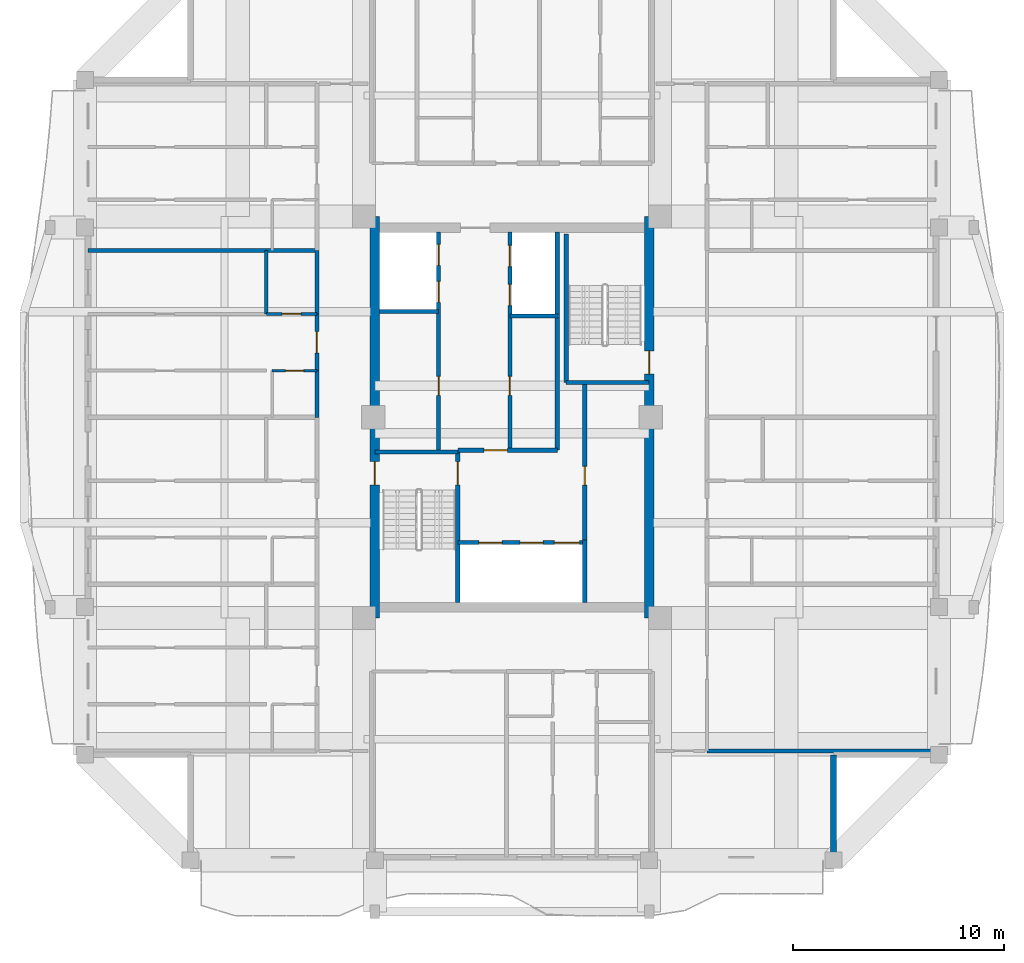
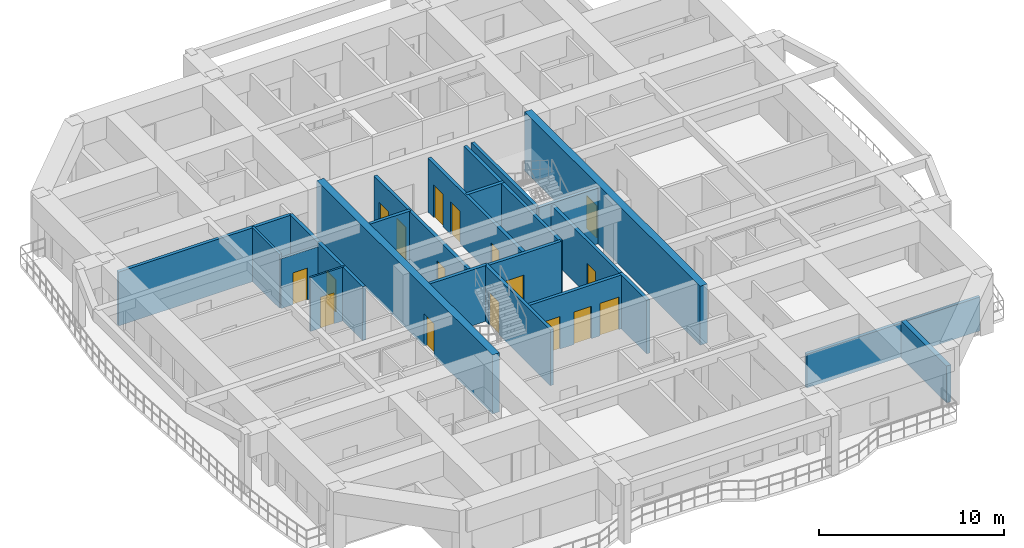
# One storey, part 4 of 13: 25 walls, 17 doors, 17 openings.
"""IFC4 building model written with IfcOpenShell, lengths in metres."""

from ifc_helpers import new_model, si_unit, direction, frame, frame_2d, origin, place, context, subcontext, project, spatial, rectangle, extrude, source, transform, mapped, material, layer, layer_set, type_object, element, fill, save


model = new_model("IFC4")

# Units and contexts
model_context = context("Model", 3, precision=1e-05, world=origin(), true_north=direction((0.0, 1.0)))
body_context = subcontext(model_context, "Body", "Model", "MODEL_VIEW")
ifc_project = project(units=[si_unit("LENGTHUNIT", "METRE"), si_unit("AREAUNIT", "SQUARE_METRE"), si_unit("VOLUMEUNIT", "CUBIC_METRE"), si_unit("PLANEANGLEUNIT", "RADIAN"), si_unit("MASSUNIT", "GRAM", prefix="KILO")], contexts=[model_context])

# Site, building, storey
site_placement = place(None, origin())
site = spatial("IfcSite", under=ifc_project, at=site_placement, CompositionType="ELEMENT")
building_placement = place(site_placement, origin())
building = spatial("IfcBuilding", under=site, at=building_placement, Name="Saelheon Loggia Tower", CompositionType="ELEMENT")
storey_placement = place(building_placement, frame((0.0, 0.0, 192.699951171875)))
storey = spatial("IfcBuildingStorey", under=building, at=storey_placement, Name="L60", CompositionType="ELEMENT", Elevation=192.699951171875)

# Wall, opening, door
ifc_material_1 = material(Name="Concrete C45/55", Category="concrete")
ifc_layer_1 = layer(ifc_material_1, 0.449951171875)
ifc_layer_set_1 = layer_set([ifc_layer_1], Name="Concrete C45/55")
wall_type_1 = type_object("IfcWallType", Name="Wall_CoreShear_450", PredefinedType="SHEAR", material=ifc_layer_set_1)
wall_1_placement = place(storey_placement, frame((31.5, 17.47998046875, 0.0), z_axis=(0.0, 0.0, 1.0), x_axis=(0.0, 1.0, 0.0)))
wall_1 = element("IfcWall", 1, at=wall_1_placement, inside=storey, type_object=wall_type_1, Name="L60 Core Shear Wall West", PredefinedType="SHEAR", context=body_context, shape_type="SweptSolid", body=[
    extrude(rectangle(XDim=19.0400390625, YDim=0.449951171875, at=frame_2d((9.52001953125, 0.0))), origin(), (0.0, 0.0, 1.0), 3.900146484375),
])
opening_1_placement = place(wall_1_placement, frame((6.320068359375, 0.0, 0.0)))
opening_1 = element("IfcOpeningElement", 2, at=opening_1_placement, cuts=wall_1, Name="Opening D-FD2", PredefinedType="OPENING", context=body_context, shape_type="SweptSolid", body=[
    extrude(rectangle(XDim=1.10009765625, YDim=2.14990234375, at=frame_2d((0.550048828125, 1.074951171875))), frame((0.0, 0.237060546875, 0.0), z_axis=(0.0, -1.0, 0.0), x_axis=(1.0, 0.0, 0.0)), (0.0, 0.0, 1.0), 0.473876953125),
])
ifc_material_2 = material(Name="Galvanised Steel Fire Door", Category="steel")
door_type_1 = type_object("IfcDoorType", Name="Door_Fire_FD60_1100", OperationType="NOTDEFINED", PredefinedType="DOOR", material=ifc_material_2)
shared_shape_1 = source(origin(), body_context, "Body", "SweptSolid", [
    extrude(rectangle(XDim=1.10009765625, YDim=2.14990234375, at=frame_2d((0.550048828125, 1.074951171875))), frame((0.0, 0.02490234375, 0.0), z_axis=(0.0, -1.0, 0.0), x_axis=(1.0, 0.0, 0.0)), (0.0, 0.0, 1.0), 0.050048828125),
])
door_1_placement = place(opening_1_placement, origin())
door_1 = element("IfcDoor", 3, at=door_1_placement, inside=storey, type_object=door_type_1, Name="L60 Stair ST1 Corridor Door", OperationType="SINGLE_SWING_LEFT", OverallHeight=2.14990234375, OverallWidth=1.10009765625, PredefinedType="DOOR", context=body_context, shape_type="MappedRepresentation", body=[
    mapped(shared_shape_1, transform((0.0, 0.0, 0.0), scale=1.0)),
])
fill(opening_1, door_1)

wall_2_placement = place(storey_placement, frame((44.5, 17.47998046875, 0.0), z_axis=(0.0, 0.0, 1.0), x_axis=(0.0, 1.0, 0.0)))
wall_2 = element("IfcWall", 4, at=wall_2_placement, inside=storey, type_object=wall_type_1, Name="L60 Core Shear Wall East", PredefinedType="SHEAR", context=body_context, shape_type="SweptSolid", body=[
    extrude(rectangle(XDim=19.0400390625, YDim=0.449951171875, at=frame_2d((9.52001953125, 0.0))), origin(), (0.0, 0.0, 1.0), 3.900146484375),
])
opening_2_placement = place(wall_2_placement, frame((12.670166015625, 0.0, 0.0), z_axis=(0.0, 0.0, 1.0), x_axis=(-1.0, 0.0, 0.0)))
opening_2 = element("IfcOpeningElement", 5, at=opening_2_placement, cuts=wall_2, Name="Opening D-FD2", PredefinedType="OPENING", context=body_context, shape_type="SweptSolid", body=[
    extrude(rectangle(XDim=1.10009765625, YDim=2.14990234375, at=frame_2d((0.550048828125, 1.074951171875))), frame((0.0, 0.237060546875, 0.0), z_axis=(0.0, -1.0, 0.0), x_axis=(1.0, 0.0, 0.0)), (0.0, 0.0, 1.0), 0.473876953125),
])
door_2_placement = place(opening_2_placement, origin())
door_2 = element("IfcDoor", 6, at=door_2_placement, inside=storey, type_object=door_type_1, Name="L60 Stair ST2 Corridor Door", OperationType="SINGLE_SWING_RIGHT", OverallHeight=2.14990234375, OverallWidth=1.10009765625, PredefinedType="DOOR", context=body_context, shape_type="MappedRepresentation", body=[
    mapped(shared_shape_1, transform((0.0, 0.0, 0.0), scale=1.0)),
])
fill(opening_2, door_2)

# Walls
ifc_material_3 = material(Name="Architectural Precast Concrete C40/50", Category="concrete")
ifc_layer_2 = layer(ifc_material_3, 0.280029296875)
ifc_layer_set_2 = layer_set([ifc_layer_2], Name="Architectural Precast Concrete C40/50")
wall_type_2 = type_object("IfcWallType", Name="Wall_Ext_Loggia_280", PredefinedType="SOLIDWALL", material=ifc_layer_set_2)
wall_3_placement = place(storey_placement, frame((53.25, 6.080078125, 0.0), z_axis=(0.0, 0.0, 1.0), x_axis=(0.0, 1.0, 0.0)))
element("IfcWall", 7, at=wall_3_placement, inside=storey, type_object=wall_type_2, Name="L60 Corner Notch Precast Wall SE1", PredefinedType="SOLIDWALL", context=body_context, shape_type="SweptSolid", body=[
    extrude(rectangle(XDim=4.919921875, YDim=0.280029296875, at=frame_2d((2.4599609375, 0.0))), origin(), (0.0, 0.0, 1.0), 2.43994140625),
])
ifc_material_4 = material(Name="Lightweight Autoclaved Aerated Concrete Block and Acoustic Gypsum", Category="concrete")
ifc_layer_3 = layer(ifc_material_4, 0.14990234375)
ifc_layer_set_3 = layer_set([ifc_layer_3], Name="Lightweight Autoclaved Aerated Concrete Block and Acoustic Gypsum")
wall_type_3 = type_object("IfcWallType", Name="Wall_Part_150", PredefinedType="PARTITIONING", material=ifc_layer_set_3)
wall_4_placement = place(storey_placement, frame((26.35009765625, 31.904296875, 0.0), z_axis=(0.0, 0.0, 1.0), x_axis=(0.0, 1.0, 0.0)))
element("IfcWall", 8, at=wall_4_placement, inside=storey, type_object=wall_type_3, Name="L60 W Partition V27", PredefinedType="PARTITIONING", context=body_context, shape_type="SweptSolid", body=[
    extrude(rectangle(XDim=3.005615234375, YDim=0.14990234375, at=frame_2d((1.5029296875, 0.0))), origin(), (0.0, 0.0, 1.0), 3.56005859375),
])

# Wall, opening, door
wall_5_placement = place(storey_placement, frame((28.75, 31.904296875, 0.0), z_axis=(0.0, 0.0, 1.0), x_axis=(-1.0, 0.0, 0.0)))
wall_5 = element("IfcWall", 9, at=wall_5_placement, inside=storey, type_object=wall_type_3, Name="L60 W Partition U30", PredefinedType="PARTITIONING", context=body_context, shape_type="SweptSolid", body=[
    extrude(rectangle(XDim=2.39990234375, YDim=0.14990234375, at=frame_2d((1.199951171875, 0.0))), origin(), (0.0, 0.0, 1.0), 3.2900390625),
])
opening_3_placement = place(wall_5_placement, frame((0.75, 0.0, 0.0)))
opening_3 = element("IfcOpeningElement", 10, at=opening_3_placement, cuts=wall_5, Name="Opening D-IN2", PredefinedType="OPENING", context=body_context, shape_type="SweptSolid", body=[
    extrude(rectangle(XDim=0.89990234375, YDim=2.10009765625, at=frame_2d((0.449951171875, 1.050048828125))), frame((0.0, 0.0869140625, 0.0), z_axis=(0.0, -1.0, 0.0), x_axis=(1.0, 0.0, 0.0)), (0.0, 0.0, 1.0), 0.173828125),
])
ifc_material_5 = material(Name="Engineered Oak Flush Door", Category="timber")
door_type_2 = type_object("IfcDoorType", Name="Door_Int_900", OperationType="NOTDEFINED", PredefinedType="DOOR", material=ifc_material_5)
shared_shape_2 = source(origin(), body_context, "Body", "SweptSolid", [
    extrude(rectangle(XDim=0.89990234375, YDim=2.10009765625, at=frame_2d((0.449951171875, 1.050048828125))), frame((0.0, 0.02490234375, 0.0), z_axis=(0.0, -1.0, 0.0), x_axis=(1.0, 0.0, 0.0)), (0.0, 0.0, 1.0), 0.050048828125),
])
door_3_placement = place(opening_3_placement, origin())
door_3 = element("IfcDoor", 11, at=door_3_placement, inside=storey, type_object=door_type_2, Name="Unit U06 Dressing Closet Door", OperationType="SINGLE_SWING_LEFT", OverallHeight=2.10009765625, OverallWidth=0.89990234375, PredefinedType="DOOR", context=body_context, shape_type="MappedRepresentation", body=[
    mapped(shared_shape_2, transform((0.0, 0.0, 0.0), scale=1.0)),
])
fill(opening_3, door_3)

# Wall
ifc_material_6 = material(Name="Double Acoustic Stud and Fireboard Partition", Category="gypsum")
ifc_layer_4 = layer(ifc_material_6, 0.199951171875)
ifc_layer_set_4 = layer_set([ifc_layer_4], Name="Double Acoustic Stud and Fireboard Partition")
wall_type_4 = type_object("IfcWallType", Name="Wall_Party_200", PredefinedType="PARTITIONING", material=ifc_layer_set_4)
wall_6_placement = place(storey_placement, frame((28.75, 27.0, 0.0), z_axis=(0.0, 0.0, 1.0), x_axis=(0.0, 1.0, 0.0)))
element("IfcWall", 12, at=wall_6_placement, inside=storey, type_object=wall_type_4, Name="L60 W Partition V23", PredefinedType="PARTITIONING", context=body_context, shape_type="SweptSolid", body=[
    extrude(rectangle(XDim=2.21484375, YDim=0.199951171875, at=frame_2d((1.107421875, 0.0))), origin(), (0.0, 0.0, 1.0), 3.56005859375),
])

# Wall, opening, door
wall_7_placement = place(storey_placement, frame((28.75, 29.21484375, 0.0), z_axis=(0.0, 0.0, 1.0), x_axis=(0.0, 1.0, 0.0)))
wall_7 = element("IfcWall", 13, at=wall_7_placement, inside=storey, type_object=wall_type_4, Name="L60 W Partition V24", PredefinedType="PARTITIONING", context=body_context, shape_type="SweptSolid", body=[
    extrude(rectangle(XDim=2.689453125, YDim=0.199951171875, at=frame_2d((1.3447265625, 0.0))), origin(), (0.0, 0.0, 1.0), 3.56005859375),
])
opening_4_placement = place(wall_7_placement, frame((0.8447265625, 0.0, 0.0)))
opening_4 = element("IfcOpeningElement", 14, at=opening_4_placement, cuts=wall_7, Name="Opening D-FD1", PredefinedType="OPENING", context=body_context, shape_type="SweptSolid", body=[
    extrude(rectangle(XDim=1.0, YDim=2.14990234375, at=frame_2d((0.5, 1.074951171875))), frame((0.0, 0.112060546875, 0.0), z_axis=(0.0, -1.0, 0.0), x_axis=(1.0, 0.0, 0.0)), (0.0, 0.0, 1.0), 0.223876953125),
])
ifc_material_7 = material(Name="Fire-Rated Engineered Timber Entrance Door", Category="wood")
door_type_3 = type_object("IfcDoorType", Name="Door_Flat_FD30S", OperationType="NOTDEFINED", PredefinedType="DOOR", material=ifc_material_7)
shared_shape_3 = source(origin(), body_context, "Body", "SweptSolid", [
    extrude(rectangle(XDim=1.0, YDim=2.14990234375, at=frame_2d((0.5, 1.074951171875))), frame((0.0, 0.02490234375, 0.0), z_axis=(0.0, -1.0, 0.0), x_axis=(1.0, 0.0, 0.0)), (0.0, 0.0, 1.0), 0.050048828125),
])
door_4_placement = place(opening_4_placement, origin())
door_4 = element("IfcDoor", 15, at=door_4_placement, inside=storey, type_object=door_type_3, Name="Unit U06 Entrance Door", OperationType="SINGLE_SWING_RIGHT", OverallHeight=2.14990234375, OverallWidth=1.0, PredefinedType="DOOR", context=body_context, shape_type="MappedRepresentation", body=[
    mapped(shared_shape_3, transform((0.0, 0.0, 0.0), scale=1.0)),
])
fill(opening_4, door_4)

# Walls
wall_8_placement = place(storey_placement, frame((28.75, 31.904296875, 0.0), z_axis=(0.0, 0.0, 1.0), x_axis=(0.0, 1.0, 0.0)))
element("IfcWall", 16, at=wall_8_placement, inside=storey, type_object=wall_type_4, Name="L60 W Partition V25", PredefinedType="PARTITIONING", context=body_context, shape_type="SweptSolid", body=[
    extrude(rectangle(XDim=3.005615234375, YDim=0.199951171875, at=frame_2d((1.5029296875, 0.0))), origin(), (0.0, 0.0, 1.0), 3.56005859375),
])
wall_9_placement = place(storey_placement, frame((28.75, 34.909912109375, 0.0), z_axis=(0.0, 0.0, 1.0), x_axis=(-1.0, 0.0, 0.0)))
element("IfcWall", 17, at=wall_9_placement, inside=storey, type_object=wall_type_4, Name="L60 W Partition U32", PredefinedType="PARTITIONING", context=body_context, shape_type="SweptSolid", body=[
    extrude(rectangle(XDim=10.85009765625, YDim=0.199951171875, at=frame_2d((5.425048828125, 0.0))), origin(), (0.0, 0.0, 1.0), 3.56005859375),
])
wall_10_placement = place(storey_placement, frame((47.25, 11.179931640625, 0.0), z_axis=(0.0, 0.0, 1.0), x_axis=(1.0, 0.0, 0.0)))
element("IfcWall", 18, at=wall_10_placement, inside=storey, type_object=wall_type_4, Name="L60 E Partition U01", PredefinedType="PARTITIONING", context=body_context, shape_type="SweptSolid", body=[
    extrude(rectangle(XDim=10.85009765625, YDim=0.199951171875, at=frame_2d((5.425048828125, 0.0))), origin(), (0.0, 0.0, 1.0), 2.239990234375),
])
ifc_material_8 = material(Name="Concrete C40/50", Category="concrete")
ifc_layer_5 = layer(ifc_material_8, 0.199951171875)
ifc_layer_set_5 = layer_set([ifc_layer_5], Name="Concrete C40/50")
wall_type_5 = type_object("IfcWallType", Name="Wall_Shaft_200", PredefinedType="PARTITIONING", material=ifc_layer_set_5)
wall_11_placement = place(storey_placement, frame((41.449951171875, 18.219970703125, 0.0), z_axis=(0.0, 0.0, 1.0), x_axis=(0.0, 1.0, 0.0)))
element("IfcWall", 19, at=wall_11_placement, inside=storey, type_object=wall_type_5, Name="CW-INT-L60-BOH-W0", PredefinedType="PARTITIONING", context=body_context, shape_type="SweptSolid", body=[
    extrude(rectangle(XDim=2.9599609375, YDim=0.199951171875, at=frame_2d((1.47998046875, 0.0))), origin(), (0.0, 0.0, 1.0), 3.56005859375),
])

# Wall, opening, door
wall_12_placement = place(storey_placement, frame((41.449951171875, 21.179931640625, 0.0), z_axis=(0.0, 0.0, 1.0), x_axis=(0.0, 1.0, 0.0)))
wall_12 = element("IfcWall", 20, at=wall_12_placement, inside=storey, type_object=wall_type_5, Name="CW-INT-L60-BOH-W1", PredefinedType="PARTITIONING", context=body_context, shape_type="SweptSolid", body=[
    extrude(rectangle(XDim=7.420166015625, YDim=0.199951171875, at=frame_2d((3.7099609375, 0.0))), origin(), (0.0, 0.0, 1.0), 3.56005859375),
])
opening_5_placement = place(wall_12_placement, frame((2.60009765625, 0.0, 0.0)))
opening_5 = element("IfcOpeningElement", 21, at=opening_5_placement, cuts=wall_12, Name="Opening D-RS1", PredefinedType="OPENING", context=body_context, shape_type="SweptSolid", body=[
    extrude(rectangle(XDim=0.89990234375, YDim=2.10009765625, at=frame_2d((0.449951171875, 1.050048828125))), frame((0.0, 0.112060546875, 0.0), z_axis=(0.0, -1.0, 0.0), x_axis=(1.0, 0.0, 0.0)), (0.0, 0.0, 1.0), 0.223876953125),
])
ifc_material_9 = material(Name="Galvanised Steel Riser Access Door", Category="steel")
door_type_4 = type_object("IfcDoorType", Name="Door_Riser_FD60", OperationType="NOTDEFINED", PredefinedType="DOOR", material=ifc_material_9)
door_5_placement = place(opening_5_placement, origin())
door_5 = element("IfcDoor", 22, at=door_5_placement, inside=storey, type_object=door_type_4, Name="L60 Core Service Store Door", OperationType="SINGLE_SWING_RIGHT", OverallHeight=2.10009765625, OverallWidth=0.89990234375, PredefinedType="DOOR", context=body_context, shape_type="MappedRepresentation", body=[
    mapped(shared_shape_2, transform((0.0, 0.0, 0.0), scale=1.0)),
])
fill(opening_5, door_5)

# Walls
wall_13_placement = place(storey_placement, frame((40.14990234375, 25.43994140625, 0.0), z_axis=(0.0, 0.0, 1.0), x_axis=(0.0, 1.0, 0.0)))
element("IfcWall", 23, at=wall_13_placement, inside=storey, type_object=wall_type_5, Name="L60 Core Service Passage West Wall", PredefinedType="PARTITIONING", context=body_context, shape_type="SweptSolid", body=[
    extrude(rectangle(XDim=6.360107421875, YDim=0.199951171875, at=frame_2d((3.18017578125, 0.0))), origin(), (0.0, 0.0, 1.0), 3.56005859375),
])
wall_14_placement = place(storey_placement, frame((40.14990234375, 31.800048828125, 0.0), z_axis=(0.0, 0.0, 1.0), x_axis=(0.0, 1.0, 0.0)))
element("IfcWall", 24, at=wall_14_placement, inside=storey, type_object=wall_type_5, Name="L60 East High-Rise Hoistway East Wall", PredefinedType="PARTITIONING", context=body_context, shape_type="SweptSolid", body=[
    extrude(rectangle(XDim=3.97998046875, YDim=0.199951171875, at=frame_2d((1.989990234375, 0.0))), origin(), (0.0, 0.0, 1.0), 3.56005859375),
])

# Wall, openings, doors
wall_15_placement = place(storey_placement, frame((35.429931640625, 21.06005859375, 0.0), z_axis=(0.0, 0.0, 1.0), x_axis=(1.0, 0.0, 0.0)))
wall_15 = element("IfcWall", 25, at=wall_15_placement, inside=storey, type_object=wall_type_5, Name="L60 Firefighting Lift Shaft Front Wall", PredefinedType="PARTITIONING", context=body_context, shape_type="SweptSolid", body=[
    extrude(rectangle(XDim=6.02001953125, YDim=0.199951171875, at=frame_2d((3.010009765625, 0.0))), origin(), (0.0, 0.0, 1.0), 3.56005859375),
])
opening_6_placement = place(wall_15_placement, frame((1.0, 0.0, 0.0)))
opening_6 = element("IfcOpeningElement", 26, at=opening_6_placement, cuts=wall_15, Name="Opening LD2", PredefinedType="OPENING", context=body_context, shape_type="SweptSolid", body=[
    extrude(rectangle(XDim=1.10009765625, YDim=2.14990234375, at=frame_2d((0.550048828125, 1.074951171875))), frame((0.0, 0.112060546875, 0.0), z_axis=(0.0, -1.0, 0.0), x_axis=(1.0, 0.0, 0.0)), (0.0, 0.0, 1.0), 0.223876953125),
])
opening_7_placement = place(wall_15_placement, frame((2.949951171875, 0.0, 0.0)))
opening_7 = element("IfcOpeningElement", 27, at=opening_7_placement, cuts=wall_15, Name="Opening LD2", PredefinedType="OPENING", context=body_context, shape_type="SweptSolid", body=[
    extrude(rectangle(XDim=1.10009765625, YDim=2.14990234375, at=frame_2d((0.550048828125, 1.074951171875))), frame((0.0, 0.112060546875, 0.0), z_axis=(0.0, -1.0, 0.0), x_axis=(1.0, 0.0, 0.0)), (0.0, 0.0, 1.0), 0.223876953125),
])
opening_8_placement = place(wall_15_placement, frame((4.580078125, 0.0, 0.0)))
opening_8 = element("IfcOpeningElement", 28, at=opening_8_placement, cuts=wall_15, Name="Opening LD3", PredefinedType="OPENING", context=body_context, shape_type="SweptSolid", body=[
    extrude(rectangle(XDim=1.199951171875, YDim=2.14990234375, at=frame_2d((0.60009765625, 1.074951171875))), frame((0.0, 0.112060546875, 0.0), z_axis=(0.0, -1.0, 0.0), x_axis=(1.0, 0.0, 0.0)), (0.0, 0.0, 1.0), 0.223876953125),
])
ifc_material_10 = material(Name="Firefighting Stainless Steel 316 Landing Door", Category="steel")
door_type_5 = type_object("IfcDoorType", Name="Door_Lift_LD2", OperationType="DOUBLE_DOOR_SLIDING", PredefinedType="DOOR", material=ifc_material_10)
door_6_placement = place(opening_6_placement, origin())
door_6 = element("IfcDoor", 29, at=door_6_placement, inside=storey, type_object=door_type_5, Name="L60 FF1 Landing Door", OperationType="DOUBLE_DOOR_SLIDING", OverallHeight=2.14990234375, OverallWidth=1.10009765625, PredefinedType="DOOR", context=body_context, shape_type="MappedRepresentation", body=[
    mapped(shared_shape_1, transform((0.0, 0.0, 0.0), scale=1.0)),
])
fill(opening_6, door_6)
door_7_placement = place(opening_7_placement, origin())
door_7 = element("IfcDoor", 30, at=door_7_placement, inside=storey, type_object=door_type_5, Name="L60 FF2 Landing Door", OperationType="DOUBLE_DOOR_SLIDING", OverallHeight=2.14990234375, OverallWidth=1.10009765625, PredefinedType="DOOR", context=body_context, shape_type="MappedRepresentation", body=[
    mapped(shared_shape_1, transform((0.0, 0.0, 0.0), scale=1.0)),
])
fill(opening_7, door_7)
ifc_material_11 = material(Name="Stretcher Lift Stainless Steel 304 Landing Door", Category="steel")
door_type_6 = type_object("IfcDoorType", Name="Door_Lift_LD3", OperationType="DOUBLE_DOOR_SLIDING", PredefinedType="DOOR", material=ifc_material_11)
shared_shape_4 = source(origin(), body_context, "Body", "SweptSolid", [
    extrude(rectangle(XDim=1.199951171875, YDim=2.14990234375, at=frame_2d((0.60009765625, 1.074951171875))), frame((0.0, 0.02490234375, 0.0), z_axis=(0.0, -1.0, 0.0), x_axis=(1.0, 0.0, 0.0)), (0.0, 0.0, 1.0), 0.050048828125),
])
door_8_placement = place(opening_8_placement, origin())
door_8 = element("IfcDoor", 31, at=door_8_placement, inside=storey, type_object=door_type_6, Name="L60 SV1 Landing Door", OperationType="DOUBLE_DOOR_SLIDING", OverallHeight=2.14990234375, OverallWidth=1.199951171875, PredefinedType="DOOR", context=body_context, shape_type="MappedRepresentation", body=[
    mapped(shared_shape_4, transform((0.0, 0.0, 0.0), scale=1.0)),
])
fill(opening_8, door_8)

# Wall, opening, door
wall_16_placement = place(storey_placement, frame((35.429931640625, 25.43994140625, 0.0), z_axis=(0.0, 0.0, 1.0), x_axis=(1.0, 0.0, 0.0)))
wall_16 = element("IfcWall", 32, at=wall_16_placement, inside=storey, type_object=wall_type_5, Name="L60 Firefighting Lobby Compartment Wall", PredefinedType="PARTITIONING", context=body_context, shape_type="SweptSolid", body=[
    extrude(rectangle(XDim=4.719970703125, YDim=0.199951171875, at=frame_2d((2.35986328125, 0.0))), origin(), (0.0, 0.0, 1.0), 3.56005859375),
])
opening_9_placement = place(wall_16_placement, frame((1.25, 0.0, 0.0)))
opening_9 = element("IfcOpeningElement", 33, at=opening_9_placement, cuts=wall_16, Name="Opening D-FD2", PredefinedType="OPENING", context=body_context, shape_type="SweptSolid", body=[
    extrude(rectangle(XDim=1.10009765625, YDim=2.14990234375, at=frame_2d((0.550048828125, 1.074951171875))), frame((0.0, 0.112060546875, 0.0), z_axis=(0.0, -1.0, 0.0), x_axis=(1.0, 0.0, 0.0)), (0.0, 0.0, 1.0), 0.223876953125),
])
door_9_placement = place(opening_9_placement, origin())
door_9 = element("IfcDoor", 34, at=door_9_placement, inside=storey, type_object=door_type_1, Name="L60 Firefighting Lobby Door", OperationType="SINGLE_SWING_LEFT", OverallHeight=2.14990234375, OverallWidth=1.10009765625, PredefinedType="DOOR", context=body_context, shape_type="MappedRepresentation", body=[
    mapped(shared_shape_1, transform((0.0, 0.0, 0.0), scale=1.0)),
])
fill(opening_9, door_9)

# Wall, openings, doors
wall_17_placement = place(storey_placement, frame((34.52001953125, 25.43994140625, 0.0), z_axis=(0.0, 0.0, 1.0), x_axis=(0.0, 1.0, 0.0)))
wall_17 = element("IfcWall", 35, at=wall_17_placement, inside=storey, type_object=wall_type_5, Name="L60 West Passenger Lift Bank Wall", PredefinedType="PARTITIONING", context=body_context, shape_type="SweptSolid", body=[
    extrude(rectangle(XDim=10.340087890625, YDim=0.199951171875, at=frame_2d((5.169921875, 0.0))), origin(), (0.0, 0.0, 1.0), 3.56005859375),
])
opening_10_placement = place(wall_17_placement, frame((2.60009765625, 0.0, 0.0)))
opening_10 = element("IfcOpeningElement", 36, at=opening_10_placement, cuts=wall_17, Name="Opening D-RS1", PredefinedType="OPENING", context=body_context, shape_type="SweptSolid", body=[
    extrude(rectangle(XDim=0.89990234375, YDim=2.10009765625, at=frame_2d((0.449951171875, 1.050048828125))), frame((0.0, 0.112060546875, 0.0), z_axis=(0.0, -1.0, 0.0), x_axis=(1.0, 0.0, 0.0)), (0.0, 0.0, 1.0), 0.223876953125),
])
opening_11_placement = place(wall_17_placement, frame((7.010009765625, 0.0, 0.0)))
opening_11 = element("IfcOpeningElement", 37, at=opening_11_placement, cuts=wall_17, Name="Opening LD1", PredefinedType="OPENING", context=body_context, shape_type="SweptSolid", body=[
    extrude(rectangle(XDim=1.0, YDim=2.14990234375, at=frame_2d((0.5, 1.074951171875))), frame((0.0, 0.112060546875, 0.0), z_axis=(0.0, -1.0, 0.0), x_axis=(1.0, 0.0, 0.0)), (0.0, 0.0, 1.0), 0.223876953125),
])
opening_12_placement = place(wall_17_placement, frame((8.760009765625, 0.0, 0.0)))
opening_12 = element("IfcOpeningElement", 38, at=opening_12_placement, cuts=wall_17, Name="Opening LD1", PredefinedType="OPENING", context=body_context, shape_type="SweptSolid", body=[
    extrude(rectangle(XDim=1.0, YDim=2.14990234375, at=frame_2d((0.5, 1.074951171875))), frame((0.0, 0.112060546875, 0.0), z_axis=(0.0, -1.0, 0.0), x_axis=(1.0, 0.0, 0.0)), (0.0, 0.0, 1.0), 0.223876953125),
])
door_10_placement = place(opening_10_placement, origin())
door_10 = element("IfcDoor", 39, at=door_10_placement, inside=storey, type_object=door_type_4, Name="L60 Core Parcel Room Door", OperationType="SINGLE_SWING_LEFT", OverallHeight=2.10009765625, OverallWidth=0.89990234375, PredefinedType="DOOR", context=body_context, shape_type="MappedRepresentation", body=[
    mapped(shared_shape_2, transform((0.0, 0.0, 0.0), scale=1.0)),
])
fill(opening_10, door_10)
ifc_material_12 = material(Name="Brushed Stainless Steel 304 Landing Door", Category="steel")
door_type_7 = type_object("IfcDoorType", Name="Door_Lift_LD1", OperationType="DOUBLE_DOOR_SLIDING", PredefinedType="DOOR", material=ifc_material_12)
door_11_placement = place(opening_11_placement, origin())
door_11 = element("IfcDoor", 40, at=door_11_placement, inside=storey, type_object=door_type_7, Name="L60 PH1 Landing Door", OperationType="DOUBLE_DOOR_SLIDING", OverallHeight=2.14990234375, OverallWidth=1.0, PredefinedType="DOOR", context=body_context, shape_type="MappedRepresentation", body=[
    mapped(shared_shape_3, transform((0.0, 0.0, 0.0), scale=1.0)),
])
fill(opening_11, door_11)
door_12_placement = place(opening_12_placement, origin())
door_12 = element("IfcDoor", 41, at=door_12_placement, inside=storey, type_object=door_type_7, Name="L60 PH2 Landing Door", OperationType="DOUBLE_DOOR_SLIDING", OverallHeight=2.14990234375, OverallWidth=1.0, PredefinedType="DOOR", context=body_context, shape_type="MappedRepresentation", body=[
    mapped(shared_shape_3, transform((0.0, 0.0, 0.0), scale=1.0)),
])
fill(opening_12, door_12)

# Wall
wall_18_placement = place(storey_placement, frame((31.719970703125, 32.02001953125, 0.0), z_axis=(0.0, 0.0, 1.0), x_axis=(1.0, 0.0, 0.0)))
element("IfcWall", 42, at=wall_18_placement, inside=storey, type_object=wall_type_5, Name="L60 West High-Rise Shaft Divider", PredefinedType="PARTITIONING", context=body_context, shape_type="SweptSolid", body=[
    extrude(rectangle(XDim=2.800048828125, YDim=0.199951171875, at=frame_2d((1.39990234375, 0.0))), origin(), (0.0, 0.0, 1.0), 3.56005859375),
])

# Wall, openings, doors
wall_19_placement = place(storey_placement, frame((37.89990234375, 25.43994140625, 0.0), z_axis=(0.0, 0.0, 1.0), x_axis=(0.0, 1.0, 0.0)))
wall_19 = element("IfcWall", 43, at=wall_19_placement, inside=storey, type_object=wall_type_5, Name="L60 East Passenger Lift Bank Wall", PredefinedType="PARTITIONING", context=body_context, shape_type="SweptSolid", body=[
    extrude(rectangle(XDim=10.340087890625, YDim=0.199951171875, at=frame_2d((5.169921875, 0.0))), origin(), (0.0, 0.0, 1.0), 3.56005859375),
])
opening_13_placement = place(wall_19_placement, frame((2.60009765625, 0.0, 0.0)))
opening_13 = element("IfcOpeningElement", 44, at=opening_13_placement, cuts=wall_19, Name="Opening D-RS1", PredefinedType="OPENING", context=body_context, shape_type="SweptSolid", body=[
    extrude(rectangle(XDim=0.89990234375, YDim=2.10009765625, at=frame_2d((0.449951171875, 1.050048828125))), frame((0.0, 0.112060546875, 0.0), z_axis=(0.0, -1.0, 0.0), x_axis=(1.0, 0.0, 0.0)), (0.0, 0.0, 1.0), 0.223876953125),
])
opening_14_placement = place(wall_19_placement, frame((6.860107421875, 0.0, 0.0)))
opening_14 = element("IfcOpeningElement", 45, at=opening_14_placement, cuts=wall_19, Name="Opening LD1", PredefinedType="OPENING", context=body_context, shape_type="SweptSolid", body=[
    extrude(rectangle(XDim=1.0, YDim=2.14990234375, at=frame_2d((0.5, 1.074951171875))), frame((0.0, 0.112060546875, 0.0), z_axis=(0.0, -1.0, 0.0), x_axis=(1.0, 0.0, 0.0)), (0.0, 0.0, 1.0), 0.223876953125),
])
opening_15_placement = place(wall_19_placement, frame((8.7099609375, 0.0, 0.0)))
opening_15 = element("IfcOpeningElement", 46, at=opening_15_placement, cuts=wall_19, Name="Opening LD1", PredefinedType="OPENING", context=body_context, shape_type="SweptSolid", body=[
    extrude(rectangle(XDim=1.0, YDim=2.14990234375, at=frame_2d((0.5, 1.074951171875))), frame((0.0, 0.112060546875, 0.0), z_axis=(0.0, -1.0, 0.0), x_axis=(1.0, 0.0, 0.0)), (0.0, 0.0, 1.0), 0.223876953125),
])
door_13_placement = place(opening_13_placement, origin())
door_13 = element("IfcDoor", 47, at=door_13_placement, inside=storey, type_object=door_type_4, Name="L60 Upper Storage Room Door", OperationType="SINGLE_SWING_RIGHT", OverallHeight=2.10009765625, OverallWidth=0.89990234375, PredefinedType="DOOR", context=body_context, shape_type="MappedRepresentation", body=[
    mapped(shared_shape_2, transform((0.0, 0.0, 0.0), scale=1.0)),
])
fill(opening_13, door_13)
door_14_placement = place(opening_14_placement, origin())
door_14 = element("IfcDoor", 48, at=door_14_placement, inside=storey, type_object=door_type_7, Name="L60 PH3 Landing Door", OperationType="DOUBLE_DOOR_SLIDING", OverallHeight=2.14990234375, OverallWidth=1.0, PredefinedType="DOOR", context=body_context, shape_type="MappedRepresentation", body=[
    mapped(shared_shape_3, transform((0.0, 0.0, 0.0), scale=1.0)),
])
fill(opening_14, door_14)
door_15_placement = place(opening_15_placement, origin())
door_15 = element("IfcDoor", 49, at=door_15_placement, inside=storey, type_object=door_type_7, Name="L60 PH4 Landing Door", OperationType="DOUBLE_DOOR_SLIDING", OverallHeight=2.14990234375, OverallWidth=1.0, PredefinedType="DOOR", context=body_context, shape_type="MappedRepresentation", body=[
    mapped(shared_shape_3, transform((0.0, 0.0, 0.0), scale=1.0)),
])
fill(opening_15, door_15)

# Wall
wall_20_placement = place(storey_placement, frame((37.89990234375, 31.800048828125, 0.0), z_axis=(0.0, 0.0, 1.0), x_axis=(1.0, 0.0, 0.0)))
element("IfcWall", 50, at=wall_20_placement, inside=storey, type_object=wall_type_5, Name="L60 East High-Rise Shaft Divider", PredefinedType="PARTITIONING", context=body_context, shape_type="SweptSolid", body=[
    extrude(rectangle(XDim=2.35009765625, YDim=0.199951171875, at=frame_2d((1.175048828125, 0.0))), origin(), (0.0, 0.0, 1.0), 3.56005859375),
])

# Wall, opening, door
ifc_layer_6 = layer(ifc_material_1, 0.199951171875)
ifc_layer_set_6 = layer_set([ifc_layer_6], Name="Concrete C45/55")
wall_type_6 = type_object("IfcWallType", Name="Wall_StairShaft_RC200", PredefinedType="SOLIDWALL", material=ifc_layer_set_6)
wall_21_placement = place(storey_placement, frame((35.429931640625, 18.219970703125, 0.0), z_axis=(0.0, 0.0, 1.0), x_axis=(0.0, 1.0, 0.0)))
wall_21 = element("IfcWall", 51, at=wall_21_placement, inside=storey, type_object=wall_type_6, Name="L60 Stair ST1 Shaft Wall", PredefinedType="SOLIDWALL", context=body_context, shape_type="SweptSolid", body=[
    extrude(rectangle(XDim=7.219970703125, YDim=0.199951171875, at=frame_2d((3.60986328125, 0.0))), origin(), (0.0, 0.0, 1.0), 3.68994140625),
])
opening_16_placement = place(wall_21_placement, frame((6.68017578125, 0.0, 0.0), z_axis=(0.0, 0.0, 1.0), x_axis=(-1.0, 0.0, 0.0)))
opening_16 = element("IfcOpeningElement", 52, at=opening_16_placement, cuts=wall_21, Name="Opening D-FD2", PredefinedType="OPENING", context=body_context, shape_type="SweptSolid", body=[
    extrude(rectangle(XDim=1.10009765625, YDim=2.14990234375, at=frame_2d((0.550048828125, 1.074951171875))), frame((0.0, 0.112060546875, 0.0), z_axis=(0.0, -1.0, 0.0), x_axis=(1.0, 0.0, 0.0)), (0.0, 0.0, 1.0), 0.223876953125),
])
door_16_placement = place(opening_16_placement, origin())
door_16 = element("IfcDoor", 53, at=door_16_placement, inside=storey, type_object=door_type_1, Name="L60 Stair ST1 Lobby Door", OperationType="SINGLE_SWING_RIGHT", OverallHeight=2.14990234375, OverallWidth=1.10009765625, PredefinedType="DOOR", context=body_context, shape_type="MappedRepresentation", body=[
    mapped(shared_shape_1, transform((0.0, 0.0, 0.0), scale=1.0)),
])
fill(opening_16, door_16)

# Walls
wall_22_placement = place(storey_placement, frame((31.5, 25.35009765625, 0.0), z_axis=(0.0, 0.0, 1.0), x_axis=(1.0, 0.0, 0.0)))
element("IfcWall", 54, at=wall_22_placement, inside=storey, type_object=wall_type_6, Name="L60 Stair ST1 North Wall", PredefinedType="SOLIDWALL", context=body_context, shape_type="SweptSolid", body=[
    extrude(rectangle(XDim=3.929931640625, YDim=0.199951171875, at=frame_2d((1.96484375, 0.0))), origin(), (0.0, 0.0, 1.0), 3.68994140625),
])
wall_23_placement = place(storey_placement, frame((40.570068359375, 28.64990234375, 0.0), z_axis=(0.0, 0.0, 1.0), x_axis=(0.0, 1.0, 0.0)))
element("IfcWall", 55, at=wall_23_placement, inside=storey, type_object=wall_type_6, Name="L60 Stair ST2 Shaft Wall", PredefinedType="SOLIDWALL", context=body_context, shape_type="SweptSolid", body=[
    extrude(rectangle(XDim=7.050048828125, YDim=0.199951171875, at=frame_2d((3.52490234375, 0.0))), origin(), (0.0, 0.0, 1.0), 3.68994140625),
])
wall_24_placement = place(storey_placement, frame((40.570068359375, 28.64990234375, 0.0), z_axis=(0.0, 0.0, 1.0), x_axis=(1.0, 0.0, 0.0)))
element("IfcWall", 56, at=wall_24_placement, inside=storey, type_object=wall_type_6, Name="L60 Stair ST2 South Wall", PredefinedType="SOLIDWALL", context=body_context, shape_type="SweptSolid", body=[
    extrude(rectangle(XDim=3.929931640625, YDim=0.199951171875, at=frame_2d((1.96484375, 0.0))), origin(), (0.0, 0.0, 1.0), 3.68994140625),
])

# Wall, opening, door
ifc_material_13 = material(Name="Moisture-Resistant Cement Board Partition", Category="gypsum")
ifc_layer_7 = layer(ifc_material_13, 0.1201171875)
ifc_layer_set_7 = layer_set([ifc_layer_7], Name="Moisture-Resistant Cement Board Partition")
wall_type_7 = type_object("IfcWallType", Name="Wall_WetPart_120", PredefinedType="PARTITIONING", material=ifc_layer_set_7)
wall_25_placement = place(storey_placement, frame((28.75, 29.21484375, 0.0), z_axis=(0.0, 0.0, 1.0), x_axis=(-1.0, 0.0, 0.0)))
wall_25 = element("IfcWall", 57, at=wall_25_placement, inside=storey, type_object=wall_type_7, Name="L60 W Partition U28", PredefinedType="PARTITIONING", context=body_context, shape_type="SweptSolid", body=[
    extrude(rectangle(XDim=2.1201171875, YDim=0.1201171875, at=frame_2d((1.06005859375, 0.0))), origin(), (0.0, 0.0, 1.0), 3.56005859375),
])
opening_17_placement = place(wall_25_placement, frame((0.635009765625, 0.0, 0.0)))
opening_17 = element("IfcOpeningElement", 58, at=opening_17_placement, cuts=wall_25, Name="Opening D-BT1", PredefinedType="OPENING", context=body_context, shape_type="SweptSolid", body=[
    extrude(rectangle(XDim=0.85009765625, YDim=2.050048828125, at=frame_2d((0.425048828125, 1.02490234375))), frame((0.0, 0.072021484375, 0.0), z_axis=(0.0, -1.0, 0.0), x_axis=(1.0, 0.0, 0.0)), (0.0, 0.0, 1.0), 0.14404296875),
])
ifc_material_14 = material(Name="Moisture-Resistant Laminate Timber Door", Category="wood")
door_type_8 = type_object("IfcDoorType", Name="Door_Bath_850", OperationType="NOTDEFINED", PredefinedType="DOOR", material=ifc_material_14)
shared_shape_5 = source(origin(), body_context, "Body", "SweptSolid", [
    extrude(rectangle(XDim=0.85009765625, YDim=2.050048828125, at=frame_2d((0.425048828125, 1.02490234375))), frame((0.0, 0.02490234375, 0.0), z_axis=(0.0, -1.0, 0.0), x_axis=(1.0, 0.0, 0.0)), (0.0, 0.0, 1.0), 0.050048828125),
])
door_17_placement = place(opening_17_placement, origin())
door_17 = element("IfcDoor", 59, at=door_17_placement, inside=storey, type_object=door_type_8, Name="Unit U06 Bathroom Door", OperationType="SINGLE_SWING_LEFT", OverallHeight=2.050048828125, OverallWidth=0.85009765625, PredefinedType="DOOR", context=body_context, shape_type="MappedRepresentation", body=[
    mapped(shared_shape_5, transform((0.0, 0.0, 0.0), scale=1.0)),
])
fill(opening_17, door_17)

save(model, "model.ifc")
